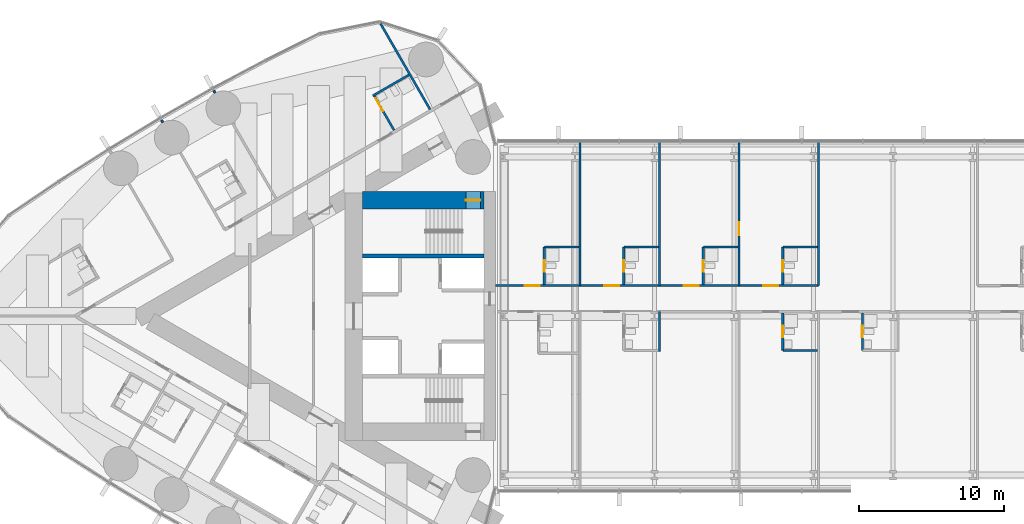
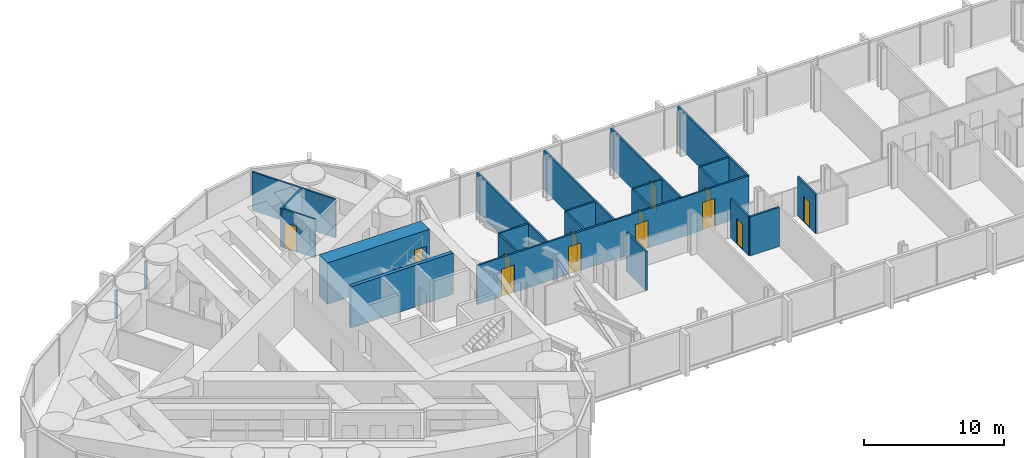
# One storey, part 16 of 22: 24 walls, 13 doors, 13 openings.
"""IFC4 building model written with IfcOpenShell, lengths in metres."""

from ifc_helpers import new_model, si_unit, direction, frame, frame_2d, origin, place, context, subcontext, project, spatial, rectangle, extrude, material, layer, layer_set, type_object, element, fill, save


model = new_model("IFC4")

# Units and contexts
model_context = context("Model", 3, precision=1e-05, world=origin(), true_north=direction((0.0, 1.0)))
body_context = subcontext(model_context, "Body", "Model", "MODEL_VIEW")
ifc_project = project(units=[si_unit("LENGTHUNIT", "METRE"), si_unit("AREAUNIT", "SQUARE_METRE"), si_unit("VOLUMEUNIT", "CUBIC_METRE"), si_unit("PLANEANGLEUNIT", "RADIAN"), si_unit("MASSUNIT", "GRAM", prefix="KILO")], contexts=[model_context])

# Site, building, storey
site_placement = place(None, origin())
site = spatial("IfcSite", under=ifc_project, at=site_placement, CompositionType="ELEMENT")
building_placement = place(site_placement, origin())
building = spatial("IfcBuilding", under=site, at=building_placement, Name="Lancet Gate Hotel", CompositionType="ELEMENT")
storey_placement = place(building_placement, frame((0.0, 0.0, 233.300048828125)))
storey = spatial("IfcBuildingStorey", under=building, at=storey_placement, Name="L62", CompositionType="ELEMENT", Elevation=233.300048828125)

# Wall
ifc_material_1 = material(Name="Moisture resistant board partition")
ifc_layer_1 = layer(ifc_material_1, 0.14990234375)
ifc_layer_set_1 = layer_set([ifc_layer_1], Name="Bathroom wall 150")
wall_type_1 = type_object("IfcWallType", Name="Bathroom wall 150", PredefinedType="PARTITIONING", material=ifc_layer_set_1)
wall_1_placement = place(storey_placement, frame((-33.486572265625, 16.6748046875, 0.0), z_axis=(0.0, 0.0, 1.0), x_axis=(-0.866039941686, -0.499974818771, 0.0)))
element("IfcWall", 1, at=wall_1_placement, inside=storey, type_object=wall_type_1, Name="T1 bathroom wall 150 L62", PredefinedType="PARTITIONING", context=body_context, shape_type="SweptSolid", body=[
    extrude(rectangle(XDim=2.875244140625, YDim=0.14990234375, at=frame_2d((1.4375, 0.0))), origin(), (0.0, 0.0, 1.0), 3.349853515625),
])

# Wall, opening, door
wall_2_placement = place(storey_placement, frame((-34.511474609375, 12.849853515625, 0.0), z_axis=(0.0, 0.0, 1.0), x_axis=(-0.500011755427, 0.866018616679, 0.0)))
wall_2 = element("IfcWall", 2, at=wall_2_placement, inside=storey, type_object=wall_type_1, Name="T1 bathroom wall 150 L62", PredefinedType="PARTITIONING", context=body_context, shape_type="SweptSolid", body=[
    extrude(rectangle(XDim=2.80029296875, YDim=0.14990234375, at=frame_2d((1.400146484375, 0.0))), origin(), (0.0, 0.0, 1.0), 3.349853515625),
])
opening_1_placement = place(wall_2_placement, frame((1.550048828125, 0.0, 0.0)))
opening_1 = element("IfcOpeningElement", 3, at=opening_1_placement, cuts=wall_2, Name="Opening 6202-B", PredefinedType="OPENING", context=body_context, shape_type="SweptSolid", body=[
    extrude(rectangle(XDim=1.0, YDim=2.199951171875, at=frame_2d((0.5, 1.10009765625))), frame((0.0, 0.0849609375, 0.0), z_axis=(0.0, -1.0, 0.0), x_axis=(1.0, 0.0, 0.0)), (0.0, 0.0, 1.0), 0.169921875),
])
ifc_material_2 = material(Name="Timber door set", Category="wood")
door_type_1 = type_object("IfcDoorType", Name="Accessible en-suite door 1000", OperationType="SINGLE_SWING_RIGHT", PredefinedType="DOOR", material=ifc_material_2)
door_1_placement = place(opening_1_placement, origin())
door_1 = element("IfcDoor", 4, at=door_1_placement, inside=storey, type_object=door_type_1, Name="6202-B", OperationType="SINGLE_SWING_RIGHT", OverallHeight=2.199951171875, OverallWidth=1.0, PredefinedType="DOOR", context=body_context, shape_type="SweptSolid", body=[
    extrude(rectangle(XDim=1.0, YDim=2.199951171875, at=frame_2d((0.5, 1.10009765625))), frame((0.0, 0.02490234375, 0.0), z_axis=(0.0, -1.0, 0.0), x_axis=(1.0, 0.0, 0.0)), (0.0, 0.0, 1.0), 0.050048828125),
])
fill(opening_1, door_1)

# Wall
wall_3_placement = place(storey_placement, frame((-7.625, -2.375, 0.0), z_axis=(0.0, 0.0, 1.0), x_axis=(1.0, 0.0, 0.0)))
element("IfcWall", 5, at=wall_3_placement, inside=storey, type_object=wall_type_1, Name="Bridge block bathroom wall 150 L62", PredefinedType="PARTITIONING", context=body_context, shape_type="SweptSolid", body=[
    extrude(rectangle(XDim=2.39990234375, YDim=0.14990234375, at=frame_2d((1.199951171875, 0.0))), origin(), (0.0, 0.0, 1.0), 3.39990234375),
])

# Wall, opening, door
wall_4_placement = place(storey_placement, frame((-7.625, -2.375, 0.0), z_axis=(0.0, 0.0, 1.0), x_axis=(0.0, 1.0, 0.0)))
wall_4 = element("IfcWall", 6, at=wall_4_placement, inside=storey, type_object=wall_type_1, Name="Bridge block bathroom wall 150 L62", PredefinedType="PARTITIONING", context=body_context, shape_type="SweptSolid", body=[
    extrude(rectangle(XDim=2.60009765625, YDim=0.14990234375, at=frame_2d((1.300048828125, 0.0))), origin(), (0.0, 0.0, 1.0), 3.39990234375),
])
opening_2_placement = place(wall_4_placement, frame((0.89990234375, 0.0, 0.0)))
opening_2 = element("IfcOpeningElement", 7, at=opening_2_placement, cuts=wall_4, Name="Opening B6204-B", PredefinedType="OPENING", context=body_context, shape_type="SweptSolid", body=[
    extrude(rectangle(XDim=0.800048828125, YDim=2.199951171875, at=frame_2d((0.39990234375, 1.10009765625))), frame((0.0, 0.0849609375, 0.0), z_axis=(0.0, -1.0, 0.0), x_axis=(1.0, 0.0, 0.0)), (0.0, 0.0, 1.0), 0.169921875),
])
ifc_material_3 = material(Name="Timber door set", Category="wood")
door_type_2 = type_object("IfcDoorType", Name="Bathroom door 800", OperationType="SINGLE_SWING_RIGHT", PredefinedType="DOOR", material=ifc_material_3)
door_2_placement = place(opening_2_placement, origin())
door_2 = element("IfcDoor", 8, at=door_2_placement, inside=storey, type_object=door_type_2, Name="B6204-B", OperationType="SINGLE_SWING_RIGHT", OverallHeight=2.199951171875, OverallWidth=0.800048828125, PredefinedType="DOOR", context=body_context, shape_type="SweptSolid", body=[
    extrude(rectangle(XDim=0.800048828125, YDim=2.199951171875, at=frame_2d((0.39990234375, 1.10009765625))), frame((0.0, 0.02490234375, 0.0), z_axis=(0.0, -1.0, 0.0), x_axis=(1.0, 0.0, 0.0)), (0.0, 0.0, 1.0), 0.050048828125),
])
fill(opening_2, door_2)

wall_5_placement = place(storey_placement, frame((-2.125, -2.375, 0.0), z_axis=(0.0, 0.0, 1.0), x_axis=(0.0, 1.0, 0.0)))
wall_5 = element("IfcWall", 9, at=wall_5_placement, inside=storey, type_object=wall_type_1, Name="Bridge block bathroom wall 150 L62", PredefinedType="PARTITIONING", context=body_context, shape_type="SweptSolid", body=[
    extrude(rectangle(XDim=2.60009765625, YDim=0.14990234375, at=frame_2d((1.300048828125, 0.0))), origin(), (0.0, 0.0, 1.0), 3.39990234375),
])
opening_3_placement = place(wall_5_placement, frame((0.89990234375, 0.0, 0.0)))
opening_3 = element("IfcOpeningElement", 10, at=opening_3_placement, cuts=wall_5, Name="Opening B6205-B", PredefinedType="OPENING", context=body_context, shape_type="SweptSolid", body=[
    extrude(rectangle(XDim=0.800048828125, YDim=2.199951171875, at=frame_2d((0.39990234375, 1.10009765625))), frame((0.0, 0.0849609375, 0.0), z_axis=(0.0, -1.0, 0.0), x_axis=(1.0, 0.0, 0.0)), (0.0, 0.0, 1.0), 0.169921875),
])
door_3_placement = place(opening_3_placement, origin())
door_3 = element("IfcDoor", 11, at=door_3_placement, inside=storey, type_object=door_type_2, Name="B6205-B", OperationType="SINGLE_SWING_RIGHT", OverallHeight=2.199951171875, OverallWidth=0.800048828125, PredefinedType="DOOR", context=body_context, shape_type="SweptSolid", body=[
    extrude(rectangle(XDim=0.800048828125, YDim=2.199951171875, at=frame_2d((0.39990234375, 1.10009765625))), frame((0.0, 0.02490234375, 0.0), z_axis=(0.0, -1.0, 0.0), x_axis=(1.0, 0.0, 0.0)), (0.0, 0.0, 1.0), 0.050048828125),
])
fill(opening_3, door_3)

# Wall
wall_6_placement = place(storey_placement, frame((-24.125, 4.77490234375, 0.0), z_axis=(0.0, 0.0, 1.0), x_axis=(1.0, 0.0, 0.0)))
element("IfcWall", 12, at=wall_6_placement, inside=storey, type_object=wall_type_1, Name="Bridge block bathroom wall 150 L62", PredefinedType="PARTITIONING", context=body_context, shape_type="SweptSolid", body=[
    extrude(rectangle(XDim=2.39990234375, YDim=0.14990234375, at=frame_2d((1.199951171875, 0.0))), origin(), (0.0, 0.0, 1.0), 3.39990234375),
])

# Wall, opening, door
wall_7_placement = place(storey_placement, frame((-24.125, 2.175048828125, 0.0), z_axis=(0.0, 0.0, 1.0), x_axis=(0.0, 1.0, 0.0)))
wall_7 = element("IfcWall", 13, at=wall_7_placement, inside=storey, type_object=wall_type_1, Name="Bridge block bathroom wall 150 L62", PredefinedType="PARTITIONING", context=body_context, shape_type="SweptSolid", body=[
    extrude(rectangle(XDim=2.599853515625, YDim=0.14990234375, at=frame_2d((1.2998046875, 0.0))), origin(), (0.0, 0.0, 1.0), 3.39990234375),
])
opening_4_placement = place(wall_7_placement, frame((0.89990234375, 0.0, 0.0)))
opening_4 = element("IfcOpeningElement", 14, at=opening_4_placement, cuts=wall_7, Name="Opening B6211-B", PredefinedType="OPENING", context=body_context, shape_type="SweptSolid", body=[
    extrude(rectangle(XDim=0.800048828125, YDim=2.199951171875, at=frame_2d((0.39990234375, 1.10009765625))), frame((0.0, 0.0849609375, 0.0), z_axis=(0.0, -1.0, 0.0), x_axis=(1.0, 0.0, 0.0)), (0.0, 0.0, 1.0), 0.169921875),
])
door_4_placement = place(opening_4_placement, origin())
door_4 = element("IfcDoor", 15, at=door_4_placement, inside=storey, type_object=door_type_2, Name="B6211-B", OperationType="SINGLE_SWING_RIGHT", OverallHeight=2.199951171875, OverallWidth=0.800048828125, PredefinedType="DOOR", context=body_context, shape_type="SweptSolid", body=[
    extrude(rectangle(XDim=0.800048828125, YDim=2.199951171875, at=frame_2d((0.39990234375, 1.10009765625))), frame((0.0, 0.02490234375, 0.0), z_axis=(0.0, -1.0, 0.0), x_axis=(1.0, 0.0, 0.0)), (0.0, 0.0, 1.0), 0.050048828125),
])
fill(opening_4, door_4)

# Wall
wall_8_placement = place(storey_placement, frame((-18.625, 4.77490234375, 0.0), z_axis=(0.0, 0.0, 1.0), x_axis=(1.0, 0.0, 0.0)))
element("IfcWall", 16, at=wall_8_placement, inside=storey, type_object=wall_type_1, Name="Bridge block bathroom wall 150 L62", PredefinedType="PARTITIONING", context=body_context, shape_type="SweptSolid", body=[
    extrude(rectangle(XDim=2.39990234375, YDim=0.14990234375, at=frame_2d((1.199951171875, 0.0))), origin(), (0.0, 0.0, 1.0), 3.39990234375),
])

# Wall, opening, door
wall_9_placement = place(storey_placement, frame((-18.625, 2.175048828125, 0.0), z_axis=(0.0, 0.0, 1.0), x_axis=(0.0, 1.0, 0.0)))
wall_9 = element("IfcWall", 17, at=wall_9_placement, inside=storey, type_object=wall_type_1, Name="Bridge block bathroom wall 150 L62", PredefinedType="PARTITIONING", context=body_context, shape_type="SweptSolid", body=[
    extrude(rectangle(XDim=2.599853515625, YDim=0.14990234375, at=frame_2d((1.2998046875, 0.0))), origin(), (0.0, 0.0, 1.0), 3.39990234375),
])
opening_5_placement = place(wall_9_placement, frame((0.89990234375, 0.0, 0.0)))
opening_5 = element("IfcOpeningElement", 18, at=opening_5_placement, cuts=wall_9, Name="Opening B6212-B", PredefinedType="OPENING", context=body_context, shape_type="SweptSolid", body=[
    extrude(rectangle(XDim=0.800048828125, YDim=2.199951171875, at=frame_2d((0.39990234375, 1.10009765625))), frame((0.0, 0.0849609375, 0.0), z_axis=(0.0, -1.0, 0.0), x_axis=(1.0, 0.0, 0.0)), (0.0, 0.0, 1.0), 0.169921875),
])
door_5_placement = place(opening_5_placement, origin())
door_5 = element("IfcDoor", 19, at=door_5_placement, inside=storey, type_object=door_type_2, Name="B6212-B", OperationType="SINGLE_SWING_RIGHT", OverallHeight=2.199951171875, OverallWidth=0.800048828125, PredefinedType="DOOR", context=body_context, shape_type="SweptSolid", body=[
    extrude(rectangle(XDim=0.800048828125, YDim=2.199951171875, at=frame_2d((0.39990234375, 1.10009765625))), frame((0.0, 0.02490234375, 0.0), z_axis=(0.0, -1.0, 0.0), x_axis=(1.0, 0.0, 0.0)), (0.0, 0.0, 1.0), 0.050048828125),
])
fill(opening_5, door_5)

# Wall
wall_10_placement = place(storey_placement, frame((-13.125, 4.77490234375, 0.0), z_axis=(0.0, 0.0, 1.0), x_axis=(1.0, 0.0, 0.0)))
element("IfcWall", 20, at=wall_10_placement, inside=storey, type_object=wall_type_1, Name="Bridge block bathroom wall 150 L62", PredefinedType="PARTITIONING", context=body_context, shape_type="SweptSolid", body=[
    extrude(rectangle(XDim=2.39990234375, YDim=0.14990234375, at=frame_2d((1.199951171875, 0.0))), origin(), (0.0, 0.0, 1.0), 3.39990234375),
])

# Wall, opening, door
wall_11_placement = place(storey_placement, frame((-13.125, 2.175048828125, 0.0), z_axis=(0.0, 0.0, 1.0), x_axis=(0.0, 1.0, 0.0)))
wall_11 = element("IfcWall", 21, at=wall_11_placement, inside=storey, type_object=wall_type_1, Name="Bridge block bathroom wall 150 L62", PredefinedType="PARTITIONING", context=body_context, shape_type="SweptSolid", body=[
    extrude(rectangle(XDim=2.599853515625, YDim=0.14990234375, at=frame_2d((1.2998046875, 0.0))), origin(), (0.0, 0.0, 1.0), 3.39990234375),
])
opening_6_placement = place(wall_11_placement, frame((0.89990234375, 0.0, 0.0)))
opening_6 = element("IfcOpeningElement", 22, at=opening_6_placement, cuts=wall_11, Name="Opening B6213-B", PredefinedType="OPENING", context=body_context, shape_type="SweptSolid", body=[
    extrude(rectangle(XDim=0.800048828125, YDim=2.199951171875, at=frame_2d((0.39990234375, 1.10009765625))), frame((0.0, 0.0849609375, 0.0), z_axis=(0.0, -1.0, 0.0), x_axis=(1.0, 0.0, 0.0)), (0.0, 0.0, 1.0), 0.169921875),
])
door_6_placement = place(opening_6_placement, origin())
door_6 = element("IfcDoor", 23, at=door_6_placement, inside=storey, type_object=door_type_2, Name="B6213-B", OperationType="SINGLE_SWING_RIGHT", OverallHeight=2.199951171875, OverallWidth=0.800048828125, PredefinedType="DOOR", context=body_context, shape_type="SweptSolid", body=[
    extrude(rectangle(XDim=0.800048828125, YDim=2.199951171875, at=frame_2d((0.39990234375, 1.10009765625))), frame((0.0, 0.02490234375, 0.0), z_axis=(0.0, -1.0, 0.0), x_axis=(1.0, 0.0, 0.0)), (0.0, 0.0, 1.0), 0.050048828125),
])
fill(opening_6, door_6)

# Wall
wall_12_placement = place(storey_placement, frame((-7.625, 4.77490234375, 0.0), z_axis=(0.0, 0.0, 1.0), x_axis=(1.0, 0.0, 0.0)))
element("IfcWall", 24, at=wall_12_placement, inside=storey, type_object=wall_type_1, Name="Bridge block bathroom wall 150 L62", PredefinedType="PARTITIONING", context=body_context, shape_type="SweptSolid", body=[
    extrude(rectangle(XDim=2.39990234375, YDim=0.14990234375, at=frame_2d((1.199951171875, 0.0))), origin(), (0.0, 0.0, 1.0), 3.39990234375),
])

# Wall, opening, door
wall_13_placement = place(storey_placement, frame((-7.625, 2.175048828125, 0.0), z_axis=(0.0, 0.0, 1.0), x_axis=(0.0, 1.0, 0.0)))
wall_13 = element("IfcWall", 25, at=wall_13_placement, inside=storey, type_object=wall_type_1, Name="Bridge block bathroom wall 150 L62", PredefinedType="PARTITIONING", context=body_context, shape_type="SweptSolid", body=[
    extrude(rectangle(XDim=2.599853515625, YDim=0.14990234375, at=frame_2d((1.2998046875, 0.0))), origin(), (0.0, 0.0, 1.0), 3.39990234375),
])
opening_7_placement = place(wall_13_placement, frame((0.89990234375, 0.0, 0.0)))
opening_7 = element("IfcOpeningElement", 26, at=opening_7_placement, cuts=wall_13, Name="Opening B6214-B", PredefinedType="OPENING", context=body_context, shape_type="SweptSolid", body=[
    extrude(rectangle(XDim=0.800048828125, YDim=2.199951171875, at=frame_2d((0.39990234375, 1.10009765625))), frame((0.0, 0.0849609375, 0.0), z_axis=(0.0, -1.0, 0.0), x_axis=(1.0, 0.0, 0.0)), (0.0, 0.0, 1.0), 0.169921875),
])
door_7_placement = place(opening_7_placement, origin())
door_7 = element("IfcDoor", 27, at=door_7_placement, inside=storey, type_object=door_type_2, Name="B6214-B", OperationType="SINGLE_SWING_RIGHT", OverallHeight=2.199951171875, OverallWidth=0.800048828125, PredefinedType="DOOR", context=body_context, shape_type="SweptSolid", body=[
    extrude(rectangle(XDim=0.800048828125, YDim=2.199951171875, at=frame_2d((0.39990234375, 1.10009765625))), frame((0.0, 0.02490234375, 0.0), z_axis=(0.0, -1.0, 0.0), x_axis=(1.0, 0.0, 0.0)), (0.0, 0.0, 1.0), 0.050048828125),
])
fill(opening_7, door_7)

# Wall, openings, doors
ifc_material_4 = material(Name="Gypsum board partition")
ifc_layer_2 = layer(ifc_material_4, 0.14990234375)
ifc_layer_set_2 = layer_set([ifc_layer_2], Name="Block corridor wall 150")
wall_type_2 = type_object("IfcWallType", Name="Block corridor wall 150", PredefinedType="PARTITIONING", material=ifc_layer_set_2)
wall_14_placement = place(storey_placement, frame((-27.5, 2.10009765625, 0.0), z_axis=(0.0, 0.0, 1.0), x_axis=(1.0, 0.0, 0.0)))
wall_14 = element("IfcWall", 28, at=wall_14_placement, inside=storey, type_object=wall_type_2, Name="Bridge block block corridor wall 150 L62", PredefinedType="PARTITIONING", context=body_context, shape_type="SweptSolid", body=[
    extrude(rectangle(XDim=22.35009765625, YDim=0.14990234375, at=frame_2d((11.175048828125, 0.0))), origin(), (0.0, 0.0, 1.0), 3.39990234375),
])
opening_8_placement = place(wall_14_placement, frame((2.02490234375, 0.0, 0.0)))
opening_8 = element("IfcOpeningElement", 29, at=opening_8_placement, cuts=wall_14, Name="Opening B6211", PredefinedType="OPENING", context=body_context, shape_type="SweptSolid", body=[
    extrude(rectangle(XDim=1.050048828125, YDim=2.39990234375, at=frame_2d((0.52490234375, 1.199951171875))), frame((0.0, 0.0849609375, 0.0), z_axis=(0.0, -1.0, 0.0), x_axis=(1.0, 0.0, 0.0)), (0.0, 0.0, 1.0), 0.169921875),
])
opening_9_placement = place(wall_14_placement, frame((7.52490234375, 0.0, 0.0)))
opening_9 = element("IfcOpeningElement", 30, at=opening_9_placement, cuts=wall_14, Name="Opening B6212", PredefinedType="OPENING", context=body_context, shape_type="SweptSolid", body=[
    extrude(rectangle(XDim=1.050048828125, YDim=2.39990234375, at=frame_2d((0.52490234375, 1.199951171875))), frame((0.0, 0.0849609375, 0.0), z_axis=(0.0, -1.0, 0.0), x_axis=(1.0, 0.0, 0.0)), (0.0, 0.0, 1.0), 0.169921875),
])
opening_10_placement = place(wall_14_placement, frame((13.02490234375, 0.0, 0.0)))
opening_10 = element("IfcOpeningElement", 31, at=opening_10_placement, cuts=wall_14, Name="Opening B6213", PredefinedType="OPENING", context=body_context, shape_type="SweptSolid", body=[
    extrude(rectangle(XDim=1.050048828125, YDim=2.39990234375, at=frame_2d((0.52490234375, 1.199951171875))), frame((0.0, 0.0849609375, 0.0), z_axis=(0.0, -1.0, 0.0), x_axis=(1.0, 0.0, 0.0)), (0.0, 0.0, 1.0), 0.169921875),
])
opening_11_placement = place(wall_14_placement, frame((18.52490234375, 0.0, 0.0)))
opening_11 = element("IfcOpeningElement", 32, at=opening_11_placement, cuts=wall_14, Name="Opening B6214", PredefinedType="OPENING", context=body_context, shape_type="SweptSolid", body=[
    extrude(rectangle(XDim=1.050048828125, YDim=2.39990234375, at=frame_2d((0.52490234375, 1.199951171875))), frame((0.0, 0.0849609375, 0.0), z_axis=(0.0, -1.0, 0.0), x_axis=(1.0, 0.0, 0.0)), (0.0, 0.0, 1.0), 0.169921875),
])
ifc_material_5 = material(Name="Timber door set", Category="wood")
door_type_3 = type_object("IfcDoorType", Name="Suite entry door 1050", OperationType="SINGLE_SWING_LEFT", PredefinedType="DOOR", material=ifc_material_5)
door_8_placement = place(opening_8_placement, origin())
door_8 = element("IfcDoor", 33, at=door_8_placement, inside=storey, type_object=door_type_3, Name="B6211", OperationType="SINGLE_SWING_LEFT", OverallHeight=2.39990234375, OverallWidth=1.050048828125, PredefinedType="DOOR", context=body_context, shape_type="SweptSolid", body=[
    extrude(rectangle(XDim=1.050048828125, YDim=2.39990234375, at=frame_2d((0.52490234375, 1.199951171875))), frame((0.0, 0.02490234375, 0.0), z_axis=(0.0, -1.0, 0.0), x_axis=(1.0, 0.0, 0.0)), (0.0, 0.0, 1.0), 0.050048828125),
])
fill(opening_8, door_8)
door_9_placement = place(opening_9_placement, origin())
door_9 = element("IfcDoor", 34, at=door_9_placement, inside=storey, type_object=door_type_3, Name="B6212", OperationType="SINGLE_SWING_LEFT", OverallHeight=2.39990234375, OverallWidth=1.050048828125, PredefinedType="DOOR", context=body_context, shape_type="SweptSolid", body=[
    extrude(rectangle(XDim=1.050048828125, YDim=2.39990234375, at=frame_2d((0.52490234375, 1.199951171875))), frame((0.0, 0.02490234375, 0.0), z_axis=(0.0, -1.0, 0.0), x_axis=(1.0, 0.0, 0.0)), (0.0, 0.0, 1.0), 0.050048828125),
])
fill(opening_9, door_9)
door_10_placement = place(opening_10_placement, origin())
door_10 = element("IfcDoor", 35, at=door_10_placement, inside=storey, type_object=door_type_3, Name="B6213", OperationType="SINGLE_SWING_LEFT", OverallHeight=2.39990234375, OverallWidth=1.050048828125, PredefinedType="DOOR", context=body_context, shape_type="SweptSolid", body=[
    extrude(rectangle(XDim=1.050048828125, YDim=2.39990234375, at=frame_2d((0.52490234375, 1.199951171875))), frame((0.0, 0.02490234375, 0.0), z_axis=(0.0, -1.0, 0.0), x_axis=(1.0, 0.0, 0.0)), (0.0, 0.0, 1.0), 0.050048828125),
])
fill(opening_10, door_10)
door_11_placement = place(opening_11_placement, origin())
door_11 = element("IfcDoor", 36, at=door_11_placement, inside=storey, type_object=door_type_3, Name="B6214", OperationType="SINGLE_SWING_LEFT", OverallHeight=2.39990234375, OverallWidth=1.050048828125, PredefinedType="DOOR", context=body_context, shape_type="SweptSolid", body=[
    extrude(rectangle(XDim=1.050048828125, YDim=2.39990234375, at=frame_2d((0.52490234375, 1.199951171875))), frame((0.0, 0.02490234375, 0.0), z_axis=(0.0, -1.0, 0.0), x_axis=(1.0, 0.0, 0.0)), (0.0, 0.0, 1.0), 0.050048828125),
])
fill(opening_11, door_11)

# Wall, opening, door
ifc_material_6 = material(Name="Concrete C70/85", Category="concrete")
ifc_layer_3 = layer(ifc_material_6, 1.199951171875)
ifc_layer_set_3 = layer_set([ifc_layer_3], Name="Core wall 1200")
wall_type_3 = type_object("IfcWallType", Name="Core wall 1200", PredefinedType="SHEAR", material=ifc_layer_set_3)
wall_15_placement = place(storey_placement, frame((-28.300048828125, 8.0, 0.0), z_axis=(0.0, 0.0, 1.0), x_axis=(-1.0, 0.0, 0.0)))
wall_15 = element("IfcWall", 37, at=wall_15_placement, inside=storey, type_object=wall_type_3, Name="T1 core wall side-S L62", PredefinedType="SHEAR", context=body_context, shape_type="SweptSolid", body=[
    extrude(rectangle(XDim=8.39990234375, YDim=1.199951171875, at=frame_2d((4.199951171875, 0.0))), origin(), (0.0, 0.0, 1.0), 3.599853515625),
])
opening_12_placement = place(wall_15_placement, frame((0.25, 0.0, 0.0)))
opening_12 = element("IfcOpeningElement", 38, at=opening_12_placement, cuts=wall_15, Name="Opening T1-L62-ST1", PredefinedType="OPENING", context=body_context, shape_type="SweptSolid", body=[
    extrude(rectangle(XDim=1.0, YDim=2.199951171875, at=frame_2d((0.5, 1.10009765625))), frame((0.0, 0.60986328125, 0.0), z_axis=(0.0, -1.0, 0.0), x_axis=(1.0, 0.0, 0.0)), (0.0, 0.0, 1.0), 1.219970703125),
])
ifc_material_7 = material(Name="Timber door set", Category="wood")
door_type_4 = type_object("IfcDoorType", Name="Stair door 1000", OperationType="SINGLE_SWING_RIGHT", PredefinedType="DOOR", material=ifc_material_7)
door_12_placement = place(opening_12_placement, origin())
door_12 = element("IfcDoor", 39, at=door_12_placement, inside=storey, type_object=door_type_4, Name="T1-L62-ST1", OperationType="SINGLE_SWING_RIGHT", OverallHeight=2.199951171875, OverallWidth=1.0, PredefinedType="DOOR", context=body_context, shape_type="SweptSolid", body=[
    extrude(rectangle(XDim=1.0, YDim=2.199951171875, at=frame_2d((0.5, 1.10009765625))), frame((0.0, 0.02490234375, 0.0), z_axis=(0.0, -1.0, 0.0), x_axis=(1.0, 0.0, 0.0)), (0.0, 0.0, 1.0), 0.050048828125),
])
fill(opening_12, door_12)

# Walls
ifc_material_8 = material(Name="Gypsum board partition")
ifc_layer_4 = layer(ifc_material_8, 0.14990234375)
ifc_layer_set_4 = layer_set([ifc_layer_4], Name="Party wall 150")
wall_type_4 = type_object("IfcWallType", Name="Party wall 150", PredefinedType="PARTITIONING", material=ifc_layer_set_4)
wall_16_placement = place(storey_placement, frame((-32.021728515625, 14.287353515625, 0.0), z_axis=(0.0, 0.0, 1.0), x_axis=(-0.50000019414, 0.866025291697, 0.0)))
element("IfcWall", 40, at=wall_16_placement, inside=storey, type_object=wall_type_4, Name="T1 party wall 150 L62", PredefinedType="PARTITIONING", context=body_context, shape_type="SweptSolid", body=[
    extrude(rectangle(XDim=6.84814453125, YDim=0.14990234375, at=frame_2d((3.424072265625, 0.0))), origin(), (0.0, 0.0, 1.0), 3.349853515625),
])
wall_17_placement = place(storey_placement, frame((-46.89794921875, 15.438720703125, 0.0), z_axis=(0.0, 0.0, 1.0), x_axis=(-0.500232303069, 0.865891241997, 0.0)))
element("IfcWall", 41, at=wall_17_placement, inside=storey, type_object=wall_type_4, Name="T1 party wall 150 L62", PredefinedType="PARTITIONING", context=body_context, shape_type="SweptSolid", body=[
    extrude(rectangle(XDim=0.1796875, YDim=0.14990234375, at=frame_2d((0.08984375, 0.0))), origin(), (0.0, 0.0, 1.0), 2.449951171875),
])
wall_18_placement = place(storey_placement, frame((-50.507568359375, 13.392333984375, 0.0), z_axis=(0.0, 0.0, 1.0), x_axis=(-0.499644091975, 0.866230789891, 0.0)))
element("IfcWall", 42, at=wall_18_placement, inside=storey, type_object=wall_type_4, Name="T1 party wall 150 L62", PredefinedType="PARTITIONING", context=body_context, shape_type="SweptSolid", body=[
    extrude(rectangle(XDim=0.179931640625, YDim=0.14990234375, at=frame_2d((0.08984375, 0.0))), origin(), (0.0, 0.0, 1.0), 2.449951171875),
])
for number, where, z_axis, x_axis, name in (
    (43, (-21.64990234375, 2.10009765625, 0.0), (0.0, 0.0, 1.0), (0.0, 1.0, 0.0), "Bridge block party wall 150 L62"),
    (44, (-16.14990234375, 2.10009765625, 0.0), (0.0, 0.0, 1.0), (0.0, 1.0, 0.0), "Bridge block party wall 150 L62"),
):
    element("IfcWall", number, at=place(storey_placement, frame(where, z_axis=z_axis, x_axis=x_axis)), inside=storey, type_object=wall_type_4, Name=name, PredefinedType="PARTITIONING", context=body_context, shape_type="SweptSolid", body=[
        extrude(rectangle(XDim=9.969970703125, YDim=0.14990234375, at=frame_2d((4.98486328125, 0.0))), origin(), (0.0, 0.0, 1.0), 3.39990234375),
    ])

# Wall, opening, door
wall_19_placement = place(storey_placement, frame((-10.64990234375, 2.10009765625, 0.0), z_axis=(0.0, 0.0, 1.0), x_axis=(0.0, 1.0, 0.0)))
wall_19 = element("IfcWall", 45, at=wall_19_placement, inside=storey, type_object=wall_type_4, Name="Bridge block party wall 150 L62", PredefinedType="PARTITIONING", context=body_context, shape_type="SweptSolid", body=[
    extrude(rectangle(XDim=9.969970703125, YDim=0.14990234375, at=frame_2d((4.98486328125, 0.0))), origin(), (0.0, 0.0, 1.0), 3.39990234375),
])
opening_13_placement = place(wall_19_placement, frame((3.5, 0.0, 0.0)))
opening_13 = element("IfcOpeningElement", 46, at=opening_13_placement, cuts=wall_19, Name="Opening B6213-C", PredefinedType="OPENING", context=body_context, shape_type="SweptSolid", body=[
    extrude(rectangle(XDim=0.89990234375, YDim=2.199951171875, at=frame_2d((0.449951171875, 1.10009765625))), frame((0.0, 0.0849609375, 0.0), z_axis=(0.0, -1.0, 0.0), x_axis=(1.0, 0.0, 0.0)), (0.0, 0.0, 1.0), 0.169921875),
])
ifc_material_9 = material(Name="Timber door set", Category="wood")
door_type_5 = type_object("IfcDoorType", Name="Connecting door 900", OperationType="SINGLE_SWING_LEFT", PredefinedType="DOOR", material=ifc_material_9)
door_13_placement = place(opening_13_placement, origin())
door_13 = element("IfcDoor", 47, at=door_13_placement, inside=storey, type_object=door_type_5, Name="B6213-C", OperationType="SINGLE_SWING_LEFT", OverallHeight=2.199951171875, OverallWidth=0.89990234375, PredefinedType="DOOR", context=body_context, shape_type="SweptSolid", body=[
    extrude(rectangle(XDim=0.89990234375, YDim=2.199951171875, at=frame_2d((0.449951171875, 1.10009765625))), frame((0.0, 0.02490234375, 0.0), z_axis=(0.0, -1.0, 0.0), x_axis=(1.0, 0.0, 0.0)), (0.0, 0.0, 1.0), 0.050048828125),
])
fill(opening_13, door_13)

# Walls
wall_20_placement = place(storey_placement, frame((-5.14990234375, 2.10009765625, 0.0), z_axis=(0.0, 0.0, 1.0), x_axis=(0.0, 1.0, 0.0)))
element("IfcWall", 48, at=wall_20_placement, inside=storey, type_object=wall_type_4, Name="Bridge block party wall 150 L62", PredefinedType="PARTITIONING", context=body_context, shape_type="SweptSolid", body=[
    extrude(rectangle(XDim=9.969970703125, YDim=0.14990234375, at=frame_2d((4.98486328125, 0.0))), origin(), (0.0, 0.0, 1.0), 3.39990234375),
])
wall_21_placement = place(storey_placement, frame((-16.14990234375, -2.449951171875, 0.0), z_axis=(0.0, 0.0, 1.0), x_axis=(0.0, 1.0, 0.0)))
element("IfcWall", 49, at=wall_21_placement, inside=storey, type_object=wall_type_4, Name="Bridge block party wall 150 L62", PredefinedType="PARTITIONING", context=body_context, shape_type="SweptSolid", body=[
    extrude(rectangle(XDim=2.75, YDim=0.14990234375, at=frame_2d((1.375, 0.0))), origin(), (0.0, 0.0, 1.0), 3.39990234375),
])
ifc_material_10 = material(Name="Concrete C50/60", Category="concrete")
ifc_layer_5 = layer(ifc_material_10, 0.300048828125)
ifc_layer_set_5 = layer_set([ifc_layer_5], Name="Stair enclosure wall 300")
wall_type_5 = type_object("IfcWallType", Name="Stair enclosure wall 300", PredefinedType="SHEAR", material=ifc_layer_set_5)
wall_22_placement = place(storey_placement, frame((-28.300048828125, 4.14990234375, 0.0), z_axis=(0.0, 0.0, 1.0), x_axis=(-1.0, 0.0, 0.0)))
element("IfcWall", 50, at=wall_22_placement, inside=storey, type_object=wall_type_5, Name="T1 core wall stair-S L62", PredefinedType="SHEAR", context=body_context, shape_type="SweptSolid", body=[
    extrude(rectangle(XDim=8.39990234375, YDim=0.300048828125, at=frame_2d((4.199951171875, 0.0))), origin(), (0.0, 0.0, 1.0), 3.599853515625),
])

save(model, "model.ifc")
